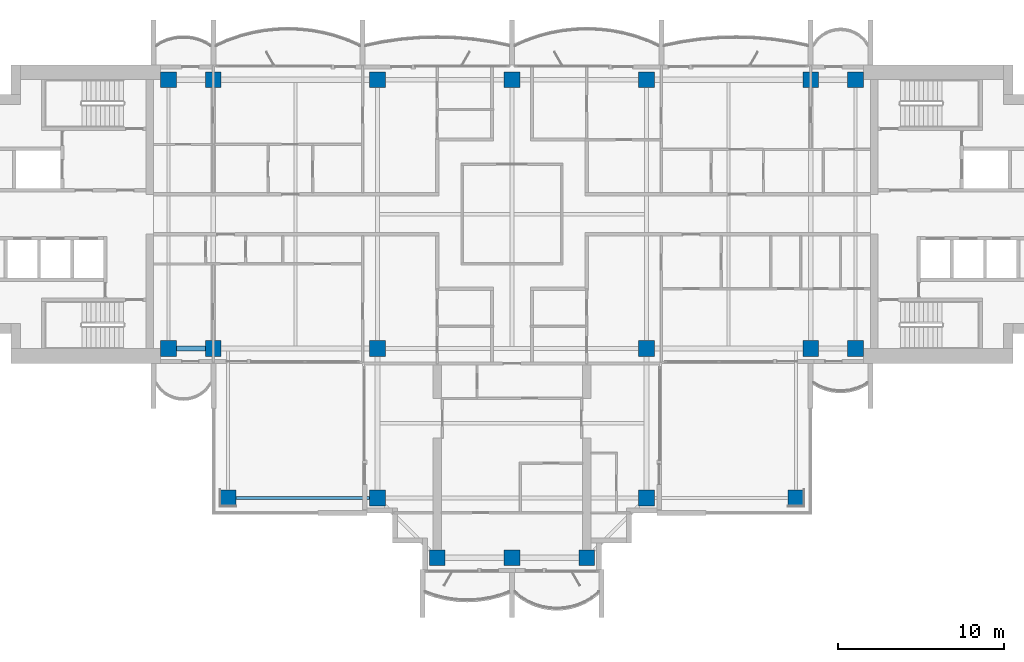
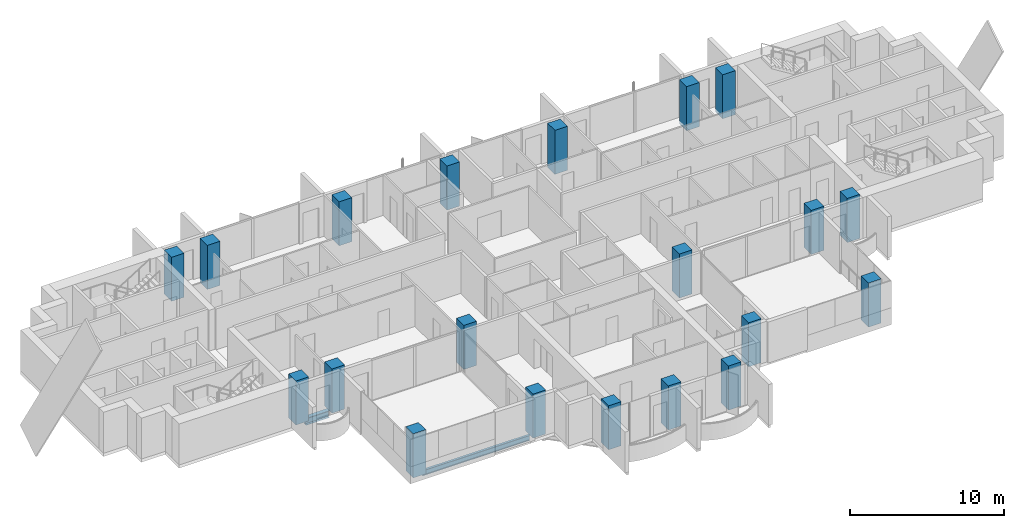
# One storey, part 1 of 17: 20 columns, 2 beams.
"""IFC4 building model written with IfcOpenShell, lengths in metres."""

from ifc_helpers import new_model, si_unit, direction, frame, origin, origin_2d, place, context, subcontext, project, spatial, rectangle, i_section, extrude, material, material_profile, profile_set, type_object, element, save


model = new_model("IFC4")

# Units and contexts
model_context = context("Model", 3, precision=1e-05, world=origin(), true_north=direction((0.0, 1.0)))
body_context = subcontext(model_context, "Body", "Model", "MODEL_VIEW")
ifc_project = project(units=[si_unit("LENGTHUNIT", "METRE"), si_unit("AREAUNIT", "SQUARE_METRE"), si_unit("VOLUMEUNIT", "CUBIC_METRE"), si_unit("PLANEANGLEUNIT", "RADIAN"), si_unit("MASSUNIT", "GRAM", prefix="KILO")], contexts=[model_context])

# Site, building, storey
site_placement = place(None, origin())
site = spatial("IfcSite", under=ifc_project, at=site_placement, CompositionType="ELEMENT")
building_placement = place(site_placement, origin())
building = spatial("IfcBuilding", under=site, at=building_placement, Name="Perihelion Cross Residences", CompositionType="ELEMENT")
storey_placement = place(building_placement, frame((0.0, 0.0, 180.60009765625)))
storey = spatial("IfcBuildingStorey", under=building, at=storey_placement, Name="L44", CompositionType="ELEMENT", Elevation=180.60009765625)

# Columns
ifc_material_1 = material(Name="Concrete C60/75", Category="concrete")
ifc_material_profile_1 = material_profile(ifc_material_1, rectangle(XDim=0.949951171875, YDim=0.949951171875, at=origin_2d()), Name="RC 950x950")
ifc_profile_set_1 = profile_set([ifc_material_profile_1], Name="Concrete C60/75")
column_type = type_object("IfcColumnType", Name="Reinforced concrete column 950x950 C60/75", PredefinedType="COLUMN", material=ifc_profile_set_1)
for number, where, z_axis, x_axis, name in (
    (1, (-20.699951171875, -8.10009765625, -0.25), (0.0, 0.0, 1.0), (1.0, 0.0, 0.0), "Column C017 L44 no. 1"),
    (2, (-20.699951171875, 8.10009765625, -0.25), (0.0, 0.0, 1.0), (1.0, 0.0, 0.0), "Column C010 L44 no. 1"),
    (3, (-18.0, -8.10009765625, -0.25), (0.0, 0.0, 1.0), (1.0, 0.0, 0.0), "Column C018 L44 no. 1"),
    (4, (-18.0, 8.10009765625, -0.25), (0.0, 0.0, 1.0), (1.0, 0.0, 0.0), "Column C011 L44 no. 1"),
    (5, (-8.10009765625, -17.10009765625, -0.25), (0.0, 0.0, 1.0), (1.0, 0.0, 0.0), "Column C031 L44 no. 1"),
    (6, (-8.10009765625, -8.10009765625, -0.25), (0.0, 0.0, 1.0), (1.0, 0.0, 0.0), "Column C019 L44 no. 1"),
    (7, (-8.10009765625, 8.10009765625, -0.25), (0.0, 0.0, 1.0), (1.0, 0.0, 0.0), "Column C012 L44 no. 1"),
    (8, (-4.5, -20.699951171875, -0.25), (0.0, 0.0, 1.0), (1.0, 0.0, 0.0), "Column C037 L44 no. 1"),
    (9, (0.0, -20.699951171875, -0.25), (0.0, 0.0, 1.0), (1.0, 0.0, 0.0), "Column C038 L44 no. 1"),
    (10, (0.0, 8.10009765625, -0.25), (0.0, 0.0, 1.0), (1.0, 0.0, 0.0), "Column C013 L44 no. 1"),
    (11, (4.5, -20.699951171875, -0.25), (0.0, 0.0, 1.0), (1.0, 0.0, 0.0), "Column C039 L44 no. 1"),
    (12, (8.10009765625, -17.10009765625, -0.25), (0.0, 0.0, 1.0), (1.0, 0.0, 0.0), "Column C035 L44 no. 1"),
    (13, (8.10009765625, -8.10009765625, -0.25), (0.0, 0.0, 1.0), (1.0, 0.0, 0.0), "Column C020 L44 no. 1"),
    (14, (8.10009765625, 8.10009765625, -0.25), (0.0, 0.0, 1.0), (1.0, 0.0, 0.0), "Column C014 L44 no. 1"),
    (15, (18.0, -8.10009765625, -0.25), (0.0, 0.0, 1.0), (1.0, 0.0, 0.0), "Column C021 L44 no. 1"),
    (16, (18.0, 8.10009765625, -0.25), (0.0, 0.0, 1.0), (1.0, 0.0, 0.0), "Column C015 L44 no. 1"),
    (17, (20.699951171875, -8.10009765625, -0.25), (0.0, 0.0, 1.0), (1.0, 0.0, 0.0), "Column C022 L44 no. 1"),
    (18, (20.699951171875, 8.10009765625, -0.25), (0.0, 0.0, 1.0), (1.0, 0.0, 0.0), "Column C016 L44 no. 1"),
    (19, (-17.10009765625, -17.10009765625, -0.25), (0.0, 0.0, 1.0), (1.0, 0.0, 0.0), "Column C030 L44 no. 1"),
    (20, (17.10009765625, -17.10009765625, -0.25), (0.0, 0.0, 1.0), (1.0, 0.0, 0.0), "Column C036 L44 no. 1"),
):
    element("IfcColumn", number, at=place(storey_placement, frame(where, z_axis=z_axis, x_axis=x_axis)), inside=storey, type_object=column_type, Name=name, PredefinedType="COLUMN", context=body_context, shape_type="SweptSolid", body=[
        extrude(rectangle(XDim=0.949951171875, YDim=0.949951171875, at=origin_2d()), origin(), (0.0, 0.0, 1.0), 3.5),
    ])

# Beams
ifc_material_2 = material(Name="Steel S355", Category="steel")
ifc_material_profile_2 = material_profile(ifc_material_2, i_section(OverallWidth=0.177978515625, OverallDepth=0.406005859375, WebThickness=0.0078125, FlangeThickness=0.0126953125, at=origin_2d()), Name="W410x60")
ifc_profile_set_2 = profile_set([ifc_material_profile_2], Name="Steel S355")
beam_type_1 = type_object("IfcBeamType", Name="Core edge beam W410x60", PredefinedType="BEAM", material=ifc_profile_set_2)
beam_1_placement = place(storey_placement, frame((-8.574951171875, -17.10009765625, -0.453125), z_axis=(-1.0, 0.0, 0.0), x_axis=(0.0, -1.0, 0.0)))
element("IfcBeam", 21, at=beam_1_placement, inside=storey, type_object=beam_type_1, Name="Core edge beam TB2 L44 corner no. 2", PredefinedType="BEAM", context=body_context, shape_type="SweptSolid", body=[
    extrude(i_section(OverallWidth=0.177978515625, OverallDepth=0.406005859375, WebThickness=0.0078125, FlangeThickness=0.0126953125, at=origin_2d()), origin(), (0.0, 0.0, 1.0), 8.050048828125),
])
ifc_material_3 = material(Name="Steel S355", Category="steel")
ifc_material_profile_3 = material_profile(ifc_material_3, i_section(OverallWidth=0.31201171875, OverallDepth=0.5439453125, WebThickness=0.0126953125, FlangeThickness=0.020263671875, at=origin_2d()), Name="W530x150")
ifc_profile_set_3 = profile_set([ifc_material_profile_3], Name="Steel S355")
beam_type_2 = type_object("IfcBeamType", Name="Edge beam W530x150", PredefinedType="SPANDREL", material=ifc_profile_set_3)
beam_2_placement = place(storey_placement, frame((-20.22509765625, -8.10009765625, -0.522216796875), z_axis=(1.0, 0.0, 0.0), x_axis=(0.0, 1.0, 0.0)))
element("IfcBeam", 22, at=beam_2_placement, inside=storey, type_object=beam_type_2, Name="Edge beam SB4 L44 no. 3", PredefinedType="SPANDREL", context=body_context, shape_type="SweptSolid", body=[
    extrude(i_section(OverallWidth=0.31201171875, OverallDepth=0.5439453125, WebThickness=0.0126953125, FlangeThickness=0.020263671875, at=origin_2d()), origin(), (0.0, 0.0, 1.0), 1.75),
])

save(model, "model.ifc")
